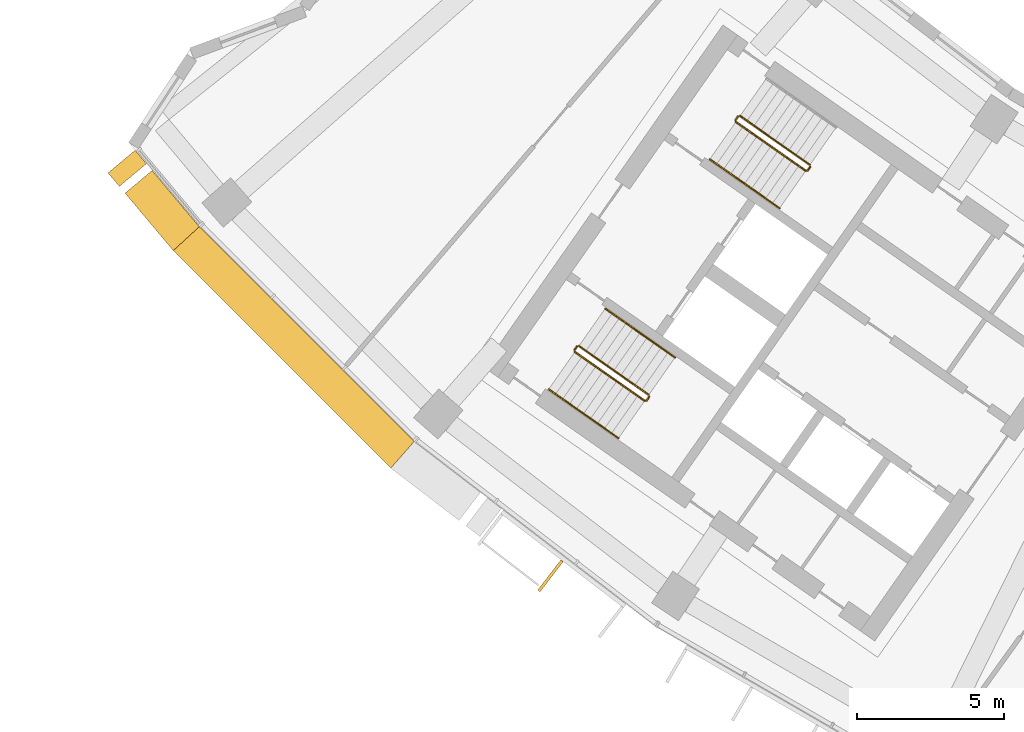
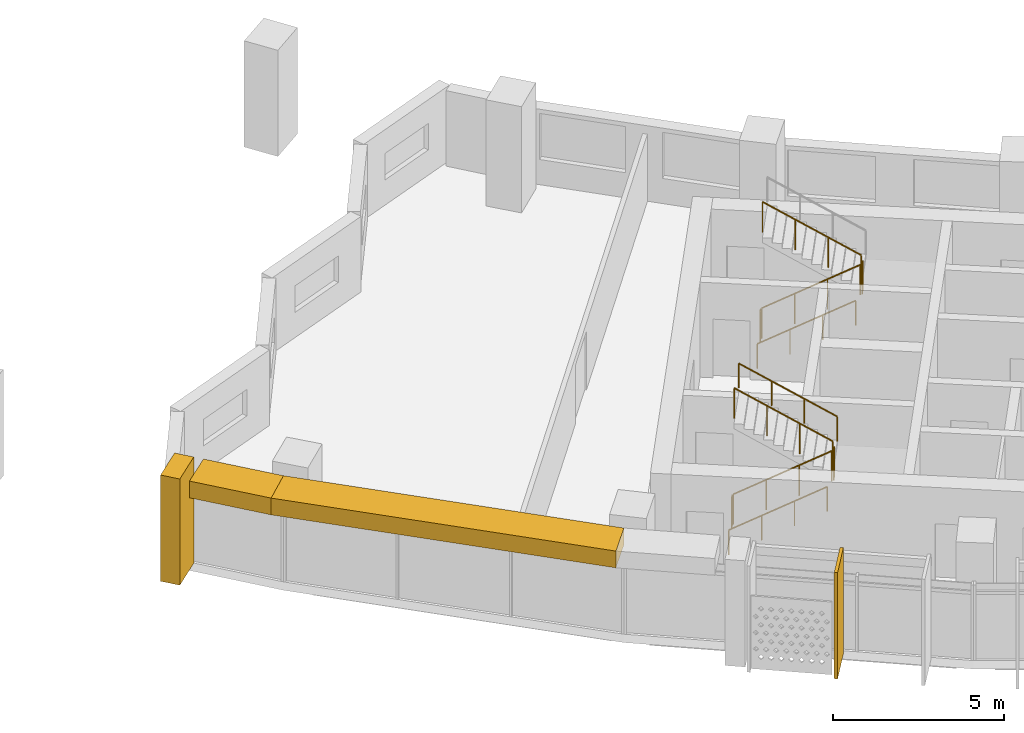
# One storey, part 22 of 27: 9 railings, 4 shading devices.
"""IFC4 building model written with IfcOpenShell, lengths in metres."""

from ifc_helpers import new_model, si_unit, direction, frame, origin, origin_2d, place, context, subcontext, project, spatial, polyline, rectangle, circle, outline, extrude, material, material_profile, profile_set, type_object, element, save


model = new_model("IFC4")

# Units and contexts
model_context = context("Model", 3, precision=1e-05, world=origin(), true_north=direction((0.0, 1.0)))
body_context = subcontext(model_context, "Body", "Model", "MODEL_VIEW")
ifc_project = project(units=[si_unit("LENGTHUNIT", "METRE"), si_unit("AREAUNIT", "SQUARE_METRE"), si_unit("VOLUMEUNIT", "CUBIC_METRE"), si_unit("PLANEANGLEUNIT", "RADIAN"), si_unit("MASSUNIT", "GRAM", prefix="KILO")], contexts=[model_context])

# Site, building, storey
site_placement = place(None, origin())
site = spatial("IfcSite", under=ifc_project, at=site_placement, CompositionType="ELEMENT")
building_placement = place(site_placement, origin())
building = spatial("IfcBuilding", under=site, at=building_placement, Name="Qamariyya Broadcast Tower", CompositionType="ELEMENT")
storey_placement = place(building_placement, frame((0.0, 0.0, 194.89990234375)))
storey = spatial("IfcBuildingStorey", under=building, at=storey_placement, Name="L46", CompositionType="ELEMENT", Elevation=194.89990234375)

# Shading devices
ifc_material_1 = material(Name="Steel S355 powder coated deep red", Category="steel")
shading_device_type_1 = type_object("IfcShadingDeviceType", Name="Deep red frame, powder coated steel box section", PredefinedType="USERDEFINED", material=ifc_material_1)
shading_device_1_placement = place(storey_placement, origin())
element("IfcShadingDevice", 1, at=shading_device_1_placement, inside=storey, type_object=shading_device_type_1, Name="e-frm-B3-F1-posta-L46", ObjectType="FRAME", PredefinedType="USERDEFINED", context=body_context, shape_type="SweptSolid", body=[
    extrude(outline(polyline([(-61.57958984375, -49.48681640625), (-62.498779296875, -50.25830078125), (-62.11279296875, -50.718017578125), (-61.19384765625, -49.9462890625), (-61.57958984375, -49.48681640625)])), origin(), (0.0, 0.0, 1.0), 3.800048828125),
])
shading_device_2_placement = place(storey_placement, frame((0.0, 0.0, 3.2001953125)))
element("IfcShadingDevice", 2, at=shading_device_2_placement, inside=storey, type_object=shading_device_type_1, Name="e-frm-B3-F1-top0", ObjectType="FRAME", PredefinedType="USERDEFINED", context=body_context, shape_type="SweptSolid", body=[
    extrude(outline(polyline([(-61.0009765625, -50.176025390625), (-61.919921875, -50.94775390625), (-60.28076171875, -52.89990234375), (-59.395263671875, -52.08837890625), (-61.0009765625, -50.176025390625)])), origin(), (0.0, 0.0, 1.0), 0.599853515625),
])
shading_device_3_placement = place(storey_placement, frame((0.0, 0.0, 3.2001953125)))
element("IfcShadingDevice", 3, at=shading_device_3_placement, inside=storey, type_object=shading_device_type_1, Name="e-frm-B3-F1-top1", ObjectType="FRAME", PredefinedType="USERDEFINED", context=body_context, shape_type="SweptSolid", body=[
    extrude(outline(polyline([(-59.395263671875, -52.08837890625), (-60.28076171875, -52.89990234375), (-52.88134765625, -60.299560546875), (-52.08837890625, -59.395263671875), (-59.395263671875, -52.08837890625)])), origin(), (0.0, 0.0, 1.0), 0.599853515625),
])

# Railings
ifc_material_2 = material(Name="Painted steel", Category="steel")
railing_type_1 = type_object("IfcRailingType", Name="Stair guard", PredefinedType="GUARDRAIL", material=ifc_material_2)
railing_1_placement = place(storey_placement, frame((-41.146728515625, -48.52490234375, 0.1728515625)))
element("IfcRailing", 4, at=railing_1_placement, inside=storey, type_object=railing_type_1, Name="L46 ST-W2 stair guard 1", PredefinedType="GUARDRAIL", context=body_context, shape_type="SweptSolid", body=[
    extrude(circle(Radius=0.02392578125, at=origin_2d()), frame((0.0, 0.0, 1.076171875), z_axis=(0.703770094002, -0.492783725636, 0.511734163933), x_axis=(0.573575343427, 0.819152809562, 0.0)), (0.0, 0.0, 1.0), 3.37548828125),
    extrude(circle(Radius=0.02392578125, at=origin_2d()), frame((2.37548828125, -1.663330078125, 2.80322265625), z_axis=(0.985059694769, 0.172213233351, 0.0), x_axis=(-0.172213233351, 0.985059694769, 0.0)), (0.0, 0.0, 1.0), 0.07080078125),
    extrude(circle(Radius=0.02392578125, at=origin_2d()), frame((2.4453125, -1.651123046875, 2.80322265625), z_axis=(0.572588637393, 0.819842821722, 0.0), x_axis=(-0.819842821722, 0.572588637393, 0.0)), (0.0, 0.0, 1.0), 0.150146484375),
    extrude(circle(Radius=0.02099609375, at=origin_2d()), origin(), (0.0, 0.0, 1.0), 1.052001953125),
    extrude(circle(Radius=0.02099609375, at=origin_2d()), frame((0.791748046875, -0.554443359375, 0.57568359375)), (0.0, 0.0, 1.0), 1.052001953125),
    extrude(circle(Radius=0.02099609375, at=origin_2d()), frame((1.583740234375, -1.10888671875, 1.151611328125)), (0.0, 0.0, 1.0), 1.052001953125),
    extrude(circle(Radius=0.02099609375, at=origin_2d()), frame((2.37548828125, -1.663330078125, 1.727294921875)), (0.0, 0.0, 1.0), 1.052001953125),
    extrude(circle(Radius=0.02099609375, at=origin_2d()), frame((2.4453125, -1.651123046875, 1.727294921875)), (0.0, 0.0, 1.0), 1.052001953125),
    extrude(circle(Radius=0.02099609375, at=origin_2d()), frame((2.53125, -1.528076171875, 1.727294921875)), (0.0, 0.0, 1.0), 1.052001953125),
])
railing_2_placement = place(storey_placement, frame((-38.627685546875, -49.9833984375, 2.07275390625)))
element("IfcRailing", 5, at=railing_2_placement, inside=storey, type_object=railing_type_1, Name="L46 ST-W2 stair guard 2", PredefinedType="GUARDRAIL", context=body_context, shape_type="SweptSolid", body=[
    extrude(circle(Radius=0.02392578125, at=origin_2d()), frame((0.0, 0.0, 1.076171875), z_axis=(-0.703770094002, 0.492783725636, 0.511734163933), x_axis=(-0.573575343427, -0.819152809562, 0.0)), (0.0, 0.0, 1.0), 3.37548828125),
    extrude(circle(Radius=0.02099609375, at=origin_2d()), origin(), (0.0, 0.0, 1.0), 1.052001953125),
    extrude(circle(Radius=0.02099609375, at=origin_2d()), frame((-0.791748046875, 0.554443359375, 0.57568359375)), (0.0, 0.0, 1.0), 1.052001953125),
    extrude(circle(Radius=0.02099609375, at=origin_2d()), frame((-1.583740234375, 1.10888671875, 1.151611328125)), (0.0, 0.0, 1.0), 1.052001953125),
    extrude(circle(Radius=0.02099609375, at=origin_2d()), frame((-2.37548828125, 1.663330078125, 1.727294921875)), (0.0, 0.0, 1.0), 1.052001953125),
])
railing_3_placement = place(storey_placement, frame((-41.158935546875, -48.455322265625, 0.0)))
element("IfcRailing", 6, at=railing_3_placement, inside=storey, type_object=railing_type_1, Name="L46 ST-W2 stair guard 3", PredefinedType="GUARDRAIL", context=body_context, shape_type="SweptSolid", body=[
    extrude(circle(Radius=0.02392578125, at=origin_2d()), frame((0.0, 0.0, 1.076171875), z_axis=(0.572588637393, 0.819842821722, 0.0), x_axis=(-0.819842821722, 0.572588637393, 0.0)), (0.0, 0.0, 1.0), 0.150146484375),
    extrude(circle(Radius=0.02099609375, at=origin_2d()), origin(), (0.0, 0.0, 1.0), 1.052001953125),
    extrude(circle(Radius=0.02099609375, at=origin_2d()), frame((0.0859375, 0.123046875, 0.0)), (0.0, 0.0, 1.0), 1.052001953125),
])
railing_4_placement = place(storey_placement, frame((-46.624267578125, -56.34765625, 0.1728515625)))
element("IfcRailing", 7, at=railing_4_placement, inside=storey, type_object=railing_type_1, Name="L46 ST-W1 stair guard 1", PredefinedType="GUARDRAIL", context=body_context, shape_type="SweptSolid", body=[
    extrude(circle(Radius=0.02392578125, at=origin_2d()), frame((0.0, 0.0, 1.076171875), z_axis=(0.703745009021, -0.492838488332, 0.511715923826), x_axis=(0.573631830683, 0.819113253969, 0.0)), (0.0, 0.0, 1.0), 3.37548828125),
    extrude(circle(Radius=0.02392578125, at=origin_2d()), frame((2.37548828125, -1.66357421875, 2.80322265625), z_axis=(0.984363469884, 0.176149252506, 0.0), x_axis=(-0.176149252506, 0.984363469884, 0.0)), (0.0, 0.0, 1.0), 0.07080078125),
    extrude(circle(Radius=0.02392578125, at=origin_2d()), frame((2.445068359375, -1.651123046875, 2.80322265625), z_axis=(0.574444878118, 0.818543268254, 0.0), x_axis=(-0.818543268254, 0.574444878118, 0.0)), (0.0, 0.0, 1.0), 0.150146484375),
    extrude(circle(Radius=0.02099609375, at=origin_2d()), origin(), (0.0, 0.0, 1.0), 1.052001953125),
    extrude(circle(Radius=0.02099609375, at=origin_2d()), frame((0.791748046875, -0.554443359375, 0.57568359375)), (0.0, 0.0, 1.0), 1.052001953125),
    extrude(circle(Radius=0.02099609375, at=origin_2d()), frame((1.583740234375, -1.109130859375, 1.151611328125)), (0.0, 0.0, 1.0), 1.052001953125),
    extrude(circle(Radius=0.02099609375, at=origin_2d()), frame((2.37548828125, -1.66357421875, 1.727294921875)), (0.0, 0.0, 1.0), 1.052001953125),
    extrude(circle(Radius=0.02099609375, at=origin_2d()), frame((2.445068359375, -1.651123046875, 1.727294921875)), (0.0, 0.0, 1.0), 1.052001953125),
    extrude(circle(Radius=0.02099609375, at=origin_2d()), frame((2.53125, -1.5283203125, 1.727294921875)), (0.0, 0.0, 1.0), 1.052001953125),
])
railing_5_placement = place(storey_placement, frame((-44.10546875, -57.806396484375, 2.07275390625)))
element("IfcRailing", 8, at=railing_5_placement, inside=storey, type_object=railing_type_1, Name="L46 ST-W1 stair guard 2", PredefinedType="GUARDRAIL", context=body_context, shape_type="SweptSolid", body=[
    extrude(circle(Radius=0.02392578125, at=origin_2d()), frame((0.0, 0.0, 1.076171875), z_axis=(-0.703770094002, 0.492783725636, 0.511734163933), x_axis=(-0.573575343427, -0.819152809562, 0.0)), (0.0, 0.0, 1.0), 3.37548828125),
    extrude(circle(Radius=0.02099609375, at=origin_2d()), origin(), (0.0, 0.0, 1.0), 1.052001953125),
    extrude(circle(Radius=0.02099609375, at=origin_2d()), frame((-0.791748046875, 0.554443359375, 0.57568359375)), (0.0, 0.0, 1.0), 1.052001953125),
    extrude(circle(Radius=0.02099609375, at=origin_2d()), frame((-1.583740234375, 1.10888671875, 1.151611328125)), (0.0, 0.0, 1.0), 1.052001953125),
    extrude(circle(Radius=0.02099609375, at=origin_2d()), frame((-2.37548828125, 1.663330078125, 1.727294921875)), (0.0, 0.0, 1.0), 1.052001953125),
])
railing_6_placement = place(storey_placement, frame((-46.63671875, -56.278076171875, 0.0)))
element("IfcRailing", 9, at=railing_6_placement, inside=storey, type_object=railing_type_1, Name="L46 ST-W1 stair guard 3", PredefinedType="GUARDRAIL", context=body_context, shape_type="SweptSolid", body=[
    extrude(circle(Radius=0.02392578125, at=origin_2d()), frame((0.0, 0.0, 1.076171875), z_axis=(0.574444878118, 0.818543268254, 0.0), x_axis=(-0.818543268254, 0.574444878118, 0.0)), (0.0, 0.0, 1.0), 0.150146484375),
    extrude(circle(Radius=0.02099609375, at=origin_2d()), origin(), (0.0, 0.0, 1.0), 1.052001953125),
    extrude(circle(Radius=0.02099609375, at=origin_2d()), frame((0.086181640625, 0.122802734375, 0.0)), (0.0, 0.0, 1.0), 1.052001953125),
])
ifc_material_3 = material(Name="Stainless steel", Category="steel")
railing_type_2 = type_object("IfcRailingType", Name="Stair handrail", PredefinedType="HANDRAIL", material=ifc_material_3)
railing_7_placement = place(storey_placement, frame((-42.03564453125, -49.79443359375, 0.1728515625)))
element("IfcRailing", 10, at=railing_7_placement, inside=storey, type_object=railing_type_2, Name="L46 ST-W2 stair handrail 1", PredefinedType="HANDRAIL", context=body_context, shape_type="SweptSolid", body=[
    extrude(circle(Radius=0.02392578125, at=origin_2d()), frame((0.0, 0.0, 0.8759765625), z_axis=(0.703745009021, -0.492838488332, 0.511715923826), x_axis=(0.573631830683, 0.819113253969, 0.0)), (0.0, 0.0, 1.0), 3.37548828125),
    extrude(circle(Radius=0.02099609375, at=origin_2d()), origin(), (0.0, 0.0, 1.0), 0.851806640625),
    extrude(circle(Radius=0.02099609375, at=origin_2d()), frame((0.791748046875, -0.554443359375, 0.57568359375)), (0.0, 0.0, 1.0), 0.851806640625),
    extrude(circle(Radius=0.02099609375, at=origin_2d()), frame((1.583740234375, -1.109130859375, 1.151611328125)), (0.0, 0.0, 1.0), 0.851806640625),
    extrude(circle(Radius=0.02099609375, at=origin_2d()), frame((2.37548828125, -1.66357421875, 1.727294921875)), (0.0, 0.0, 1.0), 0.851806640625),
])
railing_8_placement = place(storey_placement, frame((-47.513427734375, -57.617431640625, 0.1728515625)))
element("IfcRailing", 11, at=railing_8_placement, inside=storey, type_object=railing_type_2, Name="L46 ST-W1 stair handrail 1", PredefinedType="HANDRAIL", context=body_context, shape_type="SweptSolid", body=[
    extrude(circle(Radius=0.02392578125, at=origin_2d()), frame((0.0, 0.0, 0.8759765625), z_axis=(0.703770094002, -0.492783725636, 0.511734163933), x_axis=(0.573575343427, 0.819152809562, 0.0)), (0.0, 0.0, 1.0), 3.37548828125),
    extrude(circle(Radius=0.02099609375, at=origin_2d()), origin(), (0.0, 0.0, 1.0), 0.851806640625),
    extrude(circle(Radius=0.02099609375, at=origin_2d()), frame((0.791748046875, -0.554443359375, 0.57568359375)), (0.0, 0.0, 1.0), 0.851806640625),
    extrude(circle(Radius=0.02099609375, at=origin_2d()), frame((1.583740234375, -1.10888671875, 1.151611328125)), (0.0, 0.0, 1.0), 0.851806640625),
    extrude(circle(Radius=0.02099609375, at=origin_2d()), frame((2.37548828125, -1.663330078125, 1.727294921875)), (0.0, 0.0, 1.0), 0.851806640625),
])
railing_9_placement = place(storey_placement, frame((-43.21630859375, -56.53662109375, 2.07275390625)))
element("IfcRailing", 12, at=railing_9_placement, inside=storey, type_object=railing_type_2, Name="L46 ST-W1 stair handrail 2", PredefinedType="HANDRAIL", context=body_context, shape_type="SweptSolid", body=[
    extrude(circle(Radius=0.02392578125, at=origin_2d()), frame((0.0, 0.0, 0.8759765625), z_axis=(-0.703770094002, 0.492783725636, 0.511734163933), x_axis=(-0.573575343427, -0.819152809562, 0.0)), (0.0, 0.0, 1.0), 3.37548828125),
    extrude(circle(Radius=0.02099609375, at=origin_2d()), origin(), (0.0, 0.0, 1.0), 0.851806640625),
    extrude(circle(Radius=0.02099609375, at=origin_2d()), frame((-0.791748046875, 0.554443359375, 0.57568359375)), (0.0, 0.0, 1.0), 0.851806640625),
    extrude(circle(Radius=0.02099609375, at=origin_2d()), frame((-1.583740234375, 1.10888671875, 1.151611328125)), (0.0, 0.0, 1.0), 0.851806640625),
    extrude(circle(Radius=0.02099609375, at=origin_2d()), frame((-2.37548828125, 1.663330078125, 1.727294921875)), (0.0, 0.0, 1.0), 0.851806640625),
])

# Shading device
ifc_material_4 = material(Name="Glazed terracotta", Category="masonry")
ifc_material_profile = material_profile(ifc_material_4, rectangle(XDim=1.300048828125, YDim=0.10009765625, at=origin_2d()))
ifc_profile_set = profile_set([ifc_material_profile], Name="Glazed terracotta")
shading_device_type_2 = type_object("IfcShadingDeviceType", Name="Terracotta fin 100 x 1300", PredefinedType="USERDEFINED", material=ifc_profile_set)
shading_device_4_placement = place(storey_placement, frame((-47.451416015625, -63.961669921875, 0.0), z_axis=(0.0, 0.0, 1.0), x_axis=(-0.608761429009, -0.793353340291, 0.0)))
element("IfcShadingDevice", 13, at=shading_device_4_placement, inside=storey, type_object=shading_device_type_2, Name="e-fin-L46-02-2", ObjectType="FIN", PredefinedType="USERDEFINED", context=body_context, shape_type="SweptSolid", body=[
    extrude(rectangle(XDim=1.300048828125, YDim=0.10009765625, at=origin_2d()), origin(), (0.0, 0.0, 1.0), 3.800048828125),
])

save(model, "model.ifc")
